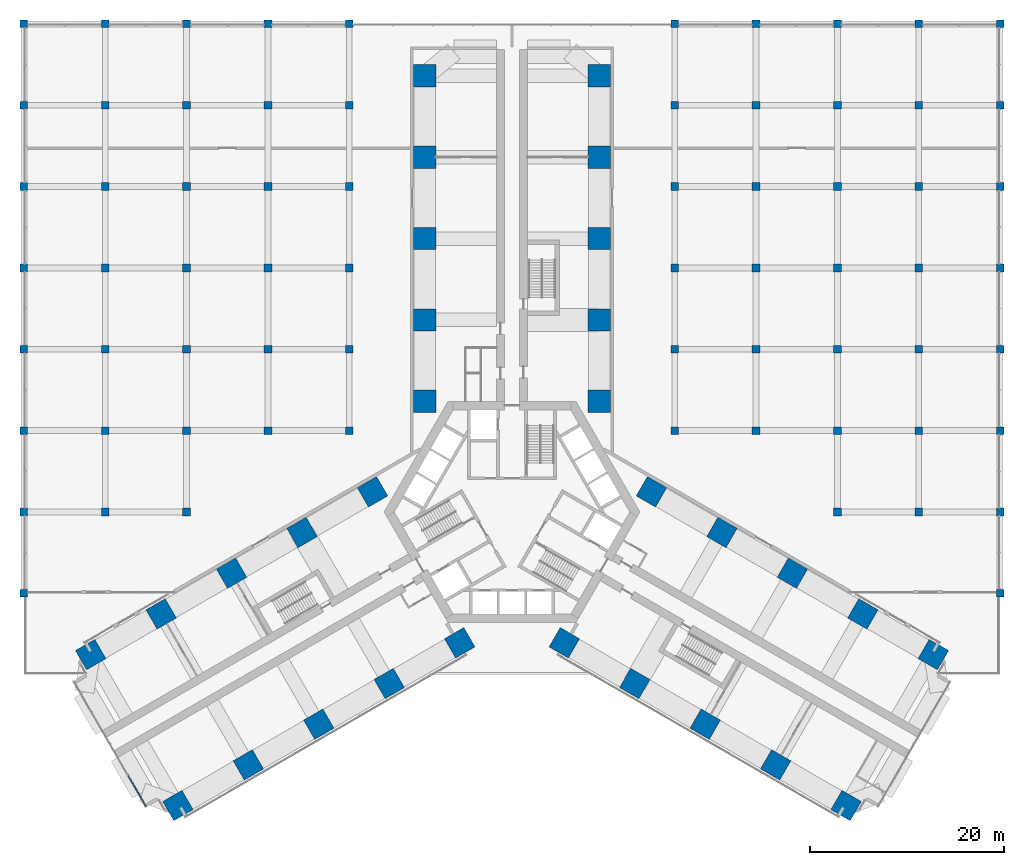
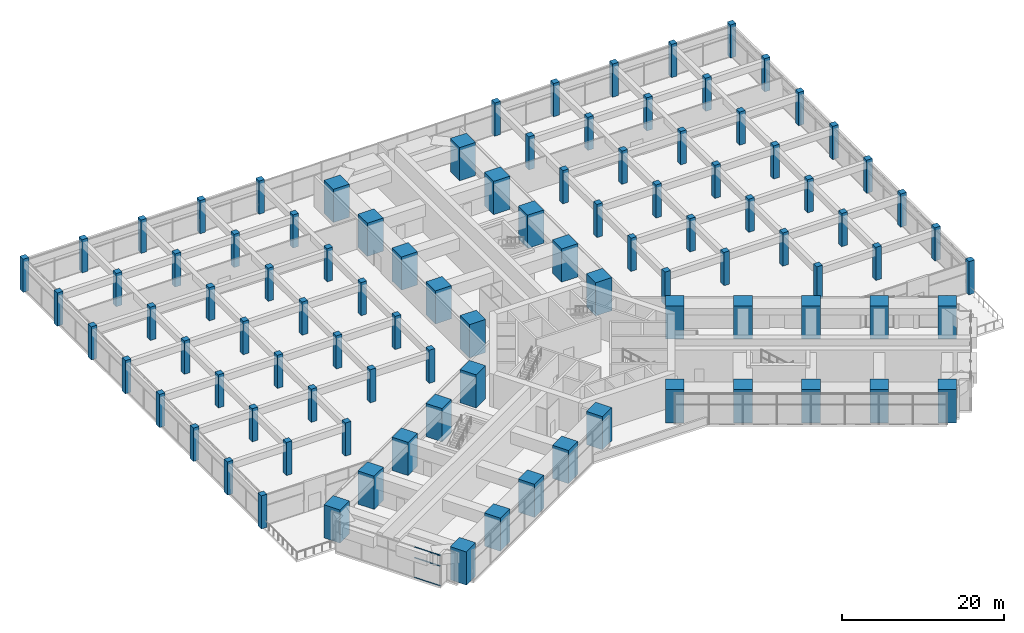
# One storey, part 1 of 33: 98 columns, 3 members, 1 element without a shape of its own.
"""IFC4 building model written with IfcOpenShell, lengths in metres."""

from ifc_helpers import new_model, si_unit, direction, frame, origin, origin_2d, place, context, subcontext, project, spatial, rectangle, extrude, material, material_profile, profile_set, type_object, element, aggregate, save


model = new_model("IFC4")

# Units and contexts
model_context = context("Model", 3, precision=1e-05, world=origin(), true_north=direction((0.0, 1.0)))
body_context = subcontext(model_context, "Body", "Model", "MODEL_VIEW")
ifc_project = project(units=[si_unit("LENGTHUNIT", "METRE"), si_unit("AREAUNIT", "SQUARE_METRE"), si_unit("VOLUMEUNIT", "CUBIC_METRE"), si_unit("PLANEANGLEUNIT", "RADIAN"), si_unit("MASSUNIT", "GRAM", prefix="KILO")], contexts=[model_context])

# Site, building, storey
site_placement = place(None, origin())
site = spatial("IfcSite", under=ifc_project, at=site_placement, CompositionType="ELEMENT")
building_placement = place(site_placement, origin())
building = spatial("IfcBuilding", under=site, at=building_placement, Name="Impinga Residences", CompositionType="ELEMENT")
storey_placement = place(building_placement, frame((0.0, 0.0, 21.0)))
storey = spatial("IfcBuildingStorey", under=building, at=storey_placement, Name="L04", CompositionType="ELEMENT", Elevation=21.0)

# Columns
ifc_material_1 = material(Name="Concrete C70/85", Category="concrete")
ifc_material_profile_1 = material_profile(ifc_material_1, rectangle(XDim=2.300048828125, YDim=2.300048828125, at=origin_2d()), Name="RC 2300x2300")
ifc_profile_set_1 = profile_set([ifc_material_profile_1], Name="Concrete C70/85")
column_type_1 = type_object("IfcColumnType", Name="C1 2300x2300 column", PredefinedType="COLUMN", material=ifc_profile_set_1)
for number, where, z_axis, x_axis, name in (
    (1, (-9.0, 11.431640625, 0.0), (0.0, 0.0, 1.0), (1.0, 0.0, 0.0), "Column C1 N1/NA L04"),
    (2, (9.0, 11.431640625, 0.0), (0.0, 0.0, 1.0), (1.0, 0.0, 0.0), "Column C1 N1/NF L04"),
    (3, (-9.0, 19.83154296875, 0.0), (0.0, 0.0, 1.0), (1.0, 0.0, 0.0), "Column C1 N2/NA L04"),
    (4, (9.0, 19.83154296875, 0.0), (0.0, 0.0, 1.0), (1.0, 0.0, 0.0), "Column C1 N2/NF L04"),
    (5, (-9.0, 28.2314453125, 0.0), (0.0, 0.0, 1.0), (1.0, 0.0, 0.0), "Column C1 N3/NA L04"),
    (6, (9.0, 28.2314453125, 0.0), (0.0, 0.0, 1.0), (1.0, 0.0, 0.0), "Column C1 N3/NF L04"),
    (7, (-9.0, 36.631591796875, 0.0), (0.0, 0.0, 1.0), (1.0, 0.0, 0.0), "Column C1 N4/NA L04"),
    (8, (9.0, 36.631591796875, 0.0), (0.0, 0.0, 1.0), (1.0, 0.0, 0.0), "Column C1 N4/NF L04"),
    (9, (-9.0, 45.031494140625, 0.0), (0.0, 0.0, 1.0), (1.0, 0.0, 0.0), "Column C1 N5/NA L04"),
    (10, (9.0, 45.031494140625, 0.0), (0.0, 0.0, 1.0), (1.0, 0.0, 0.0), "Column C1 N5/NF L04"),
    (11, (-5.39990234375, -13.510009765625, 0.0), (0.0, 0.0, 1.0), (-0.5, 0.866025403784, 0.0), "Column C1 W1/WA L04"),
    (12, (-14.39990234375, 2.078369140625, 0.0), (0.0, 0.0, 1.0), (-0.5, 0.866025403784, 0.0), "Column C1 W1/WF L04"),
    (13, (-12.674560546875, -17.7099609375, 0.0), (0.0, 0.0, 1.0), (-0.5, 0.866025403784, 0.0), "Column C1 W2/WA L04"),
    (14, (-21.674560546875, -2.12158203125, 0.0), (0.0, 0.0, 1.0), (-0.5, 0.866025403784, 0.0), "Column C1 W2/WF L04"),
    (15, (-19.94921875, -21.909912109375, 0.0), (0.0, 0.0, 1.0), (-0.5, 0.866025403784, 0.0), "Column C1 W3/WA L04"),
    (16, (-28.94921875, -6.321533203125, 0.0), (0.0, 0.0, 1.0), (-0.5, 0.866025403784, 0.0), "Column C1 W3/WF L04"),
    (17, (-27.223876953125, -26.110107421875, 0.0), (0.0, 0.0, 1.0), (-0.5, 0.866025403784, 0.0), "Column C1 W4/WA L04"),
    (18, (-36.223876953125, -10.521484375, 0.0), (0.0, 0.0, 1.0), (-0.5, 0.866025403784, 0.0), "Column C1 W4/WF L04"),
    (19, (-34.49853515625, -30.31005859375, 0.0), (0.0, 0.0, 1.0), (-0.5, 0.866025403784, 0.0), "Column C1 W5/WA L04"),
    (20, (-43.49853515625, -14.721435546875, 0.0), (0.0, 0.0, 1.0), (-0.5, 0.866025403784, 0.0), "Column C1 W5/WF L04"),
    (21, (14.39990234375, 2.078369140625, 0.0), (0.0, 0.0, 1.0), (-0.5, -0.866025403784, 0.0), "Column C1 E1/EA L04"),
    (22, (5.39990234375, -13.510009765625, 0.0), (0.0, 0.0, 1.0), (-0.5, -0.866025403784, 0.0), "Column C1 E1/EF L04"),
    (23, (21.674560546875, -2.12158203125, 0.0), (0.0, 0.0, 1.0), (-0.5, -0.866025403784, 0.0), "Column C1 E2/EA L04"),
    (24, (12.674560546875, -17.7099609375, 0.0), (0.0, 0.0, 1.0), (-0.5, -0.866025403784, 0.0), "Column C1 E2/EF L04"),
    (25, (28.94921875, -6.321533203125, 0.0), (0.0, 0.0, 1.0), (-0.5, -0.866025403784, 0.0), "Column C1 E3/EA L04"),
    (26, (19.94921875, -21.909912109375, 0.0), (0.0, 0.0, 1.0), (-0.5, -0.866025403784, 0.0), "Column C1 E3/EF L04"),
    (27, (36.223876953125, -10.521484375, 0.0), (0.0, 0.0, 1.0), (-0.5, -0.866025403784, 0.0), "Column C1 E4/EA L04"),
    (28, (27.223876953125, -26.110107421875, 0.0), (0.0, 0.0, 1.0), (-0.5, -0.866025403784, 0.0), "Column C1 E4/EF L04"),
    (29, (43.49853515625, -14.721435546875, 0.0), (0.0, 0.0, 1.0), (-0.5, -0.866025403784, 0.0), "Column C1 E5/EA L04"),
    (30, (34.49853515625, -30.31005859375, 0.0), (0.0, 0.0, 1.0), (-0.5, -0.866025403784, 0.0), "Column C1 E5/EF L04"),
):
    element("IfcColumn", number, at=place(storey_placement, frame(where, z_axis=z_axis, x_axis=x_axis)), inside=storey, type_object=column_type_1, Name=name, PredefinedType="COLUMN", context=body_context, shape_type="SweptSolid", body=[
        extrude(rectangle(XDim=2.300048828125, YDim=2.300048828125, at=origin_2d()), origin(), (0.0, 0.0, 1.0), 5.0),
    ])
ifc_material_profile_2 = material_profile(ifc_material_1, rectangle(XDim=0.800048828125, YDim=0.800048828125, at=origin_2d()), Name="RC 800x800")
ifc_profile_set_2 = profile_set([ifc_material_profile_2], Name="Concrete C70/85")
column_type_2 = type_object("IfcColumnType", Name="PC3 800x800 column", PredefinedType="COLUMN", material=ifc_profile_set_2)
for number, where, z_axis, x_axis, name in (
    (31, (-50.39990234375, -8.39990234375, 0.0), (0.0, 0.0, 1.0), (1.0, 0.0, 0.0), "Column PC3 1/E L04"),
    (32, (-50.39990234375, 0.0, 0.0), (0.0, 0.0, 1.0), (1.0, 0.0, 0.0), "Column PC3 1/F L04"),
    (33, (-50.39990234375, 8.39990234375, 0.0), (0.0, 0.0, 1.0), (1.0, 0.0, 0.0), "Column PC3 1/G L04"),
    (34, (-50.39990234375, 16.800048828125, 0.0), (0.0, 0.0, 1.0), (1.0, 0.0, 0.0), "Column PC3 1/H L04"),
    (35, (-50.39990234375, 25.199951171875, 0.0), (0.0, 0.0, 1.0), (1.0, 0.0, 0.0), "Column PC3 1/J L04"),
    (36, (-50.39990234375, 33.60009765625, 0.0), (0.0, 0.0, 1.0), (1.0, 0.0, 0.0), "Column PC3 1/K L04"),
    (37, (-50.39990234375, 42.0, 0.0), (0.0, 0.0, 1.0), (1.0, 0.0, 0.0), "Column PC3 1/L L04"),
    (38, (-50.39990234375, 50.39990234375, 0.0), (0.0, 0.0, 1.0), (1.0, 0.0, 0.0), "Column PC3 1/M L04"),
    (39, (-42.0, 0.0, 0.0), (0.0, 0.0, 1.0), (1.0, 0.0, 0.0), "Column PC3 2/F L04"),
    (40, (-42.0, 8.39990234375, 0.0), (0.0, 0.0, 1.0), (1.0, 0.0, 0.0), "Column PC3 2/G L04"),
    (41, (-42.0, 16.800048828125, 0.0), (0.0, 0.0, 1.0), (1.0, 0.0, 0.0), "Column PC3 2/H L04"),
    (42, (-42.0, 25.199951171875, 0.0), (0.0, 0.0, 1.0), (1.0, 0.0, 0.0), "Column PC3 2/J L04"),
    (43, (-42.0, 33.60009765625, 0.0), (0.0, 0.0, 1.0), (1.0, 0.0, 0.0), "Column PC3 2/K L04"),
    (44, (-42.0, 42.0, 0.0), (0.0, 0.0, 1.0), (1.0, 0.0, 0.0), "Column PC3 2/L L04"),
    (45, (-42.0, 50.39990234375, 0.0), (0.0, 0.0, 1.0), (1.0, 0.0, 0.0), "Column PC3 2/M L04"),
    (46, (-33.60009765625, 0.0, 0.0), (0.0, 0.0, 1.0), (1.0, 0.0, 0.0), "Column PC3 3/F L04"),
    (47, (-33.60009765625, 8.39990234375, 0.0), (0.0, 0.0, 1.0), (1.0, 0.0, 0.0), "Column PC3 3/G L04"),
    (48, (-33.60009765625, 16.800048828125, 0.0), (0.0, 0.0, 1.0), (1.0, 0.0, 0.0), "Column PC3 3/H L04"),
    (49, (-33.60009765625, 25.199951171875, 0.0), (0.0, 0.0, 1.0), (1.0, 0.0, 0.0), "Column PC3 3/J L04"),
    (50, (-33.60009765625, 33.60009765625, 0.0), (0.0, 0.0, 1.0), (1.0, 0.0, 0.0), "Column PC3 3/K L04"),
    (51, (-33.60009765625, 42.0, 0.0), (0.0, 0.0, 1.0), (1.0, 0.0, 0.0), "Column PC3 3/L L04"),
    (52, (-33.60009765625, 50.39990234375, 0.0), (0.0, 0.0, 1.0), (1.0, 0.0, 0.0), "Column PC3 3/M L04"),
    (53, (-25.199951171875, 8.39990234375, 0.0), (0.0, 0.0, 1.0), (1.0, 0.0, 0.0), "Column PC3 4/G L04"),
    (54, (-25.199951171875, 16.800048828125, 0.0), (0.0, 0.0, 1.0), (1.0, 0.0, 0.0), "Column PC3 4/H L04"),
    (55, (-25.199951171875, 25.199951171875, 0.0), (0.0, 0.0, 1.0), (1.0, 0.0, 0.0), "Column PC3 4/J L04"),
    (56, (-25.199951171875, 33.60009765625, 0.0), (0.0, 0.0, 1.0), (1.0, 0.0, 0.0), "Column PC3 4/K L04"),
    (57, (-25.199951171875, 42.0, 0.0), (0.0, 0.0, 1.0), (1.0, 0.0, 0.0), "Column PC3 4/L L04"),
    (58, (-25.199951171875, 50.39990234375, 0.0), (0.0, 0.0, 1.0), (1.0, 0.0, 0.0), "Column PC3 4/M L04"),
    (59, (-16.800048828125, 8.39990234375, 0.0), (0.0, 0.0, 1.0), (1.0, 0.0, 0.0), "Column PC3 5/G L04"),
    (60, (-16.800048828125, 16.800048828125, 0.0), (0.0, 0.0, 1.0), (1.0, 0.0, 0.0), "Column PC3 5/H L04"),
    (61, (-16.800048828125, 25.199951171875, 0.0), (0.0, 0.0, 1.0), (1.0, 0.0, 0.0), "Column PC3 5/J L04"),
    (62, (-16.800048828125, 33.60009765625, 0.0), (0.0, 0.0, 1.0), (1.0, 0.0, 0.0), "Column PC3 5/K L04"),
    (63, (-16.800048828125, 42.0, 0.0), (0.0, 0.0, 1.0), (1.0, 0.0, 0.0), "Column PC3 5/L L04"),
    (64, (-16.800048828125, 50.39990234375, 0.0), (0.0, 0.0, 1.0), (1.0, 0.0, 0.0), "Column PC3 5/M L04"),
    (65, (16.800048828125, 8.39990234375, 0.0), (0.0, 0.0, 1.0), (1.0, 0.0, 0.0), "Column PC3 9/G L04"),
    (66, (16.800048828125, 16.800048828125, 0.0), (0.0, 0.0, 1.0), (1.0, 0.0, 0.0), "Column PC3 9/H L04"),
    (67, (16.800048828125, 25.199951171875, 0.0), (0.0, 0.0, 1.0), (1.0, 0.0, 0.0), "Column PC3 9/J L04"),
    (68, (16.800048828125, 33.60009765625, 0.0), (0.0, 0.0, 1.0), (1.0, 0.0, 0.0), "Column PC3 9/K L04"),
    (69, (16.800048828125, 42.0, 0.0), (0.0, 0.0, 1.0), (1.0, 0.0, 0.0), "Column PC3 9/L L04"),
    (70, (16.800048828125, 50.39990234375, 0.0), (0.0, 0.0, 1.0), (1.0, 0.0, 0.0), "Column PC3 9/M L04"),
    (71, (25.199951171875, 8.39990234375, 0.0), (0.0, 0.0, 1.0), (1.0, 0.0, 0.0), "Column PC3 10/G L04"),
    (72, (25.199951171875, 16.800048828125, 0.0), (0.0, 0.0, 1.0), (1.0, 0.0, 0.0), "Column PC3 10/H L04"),
    (73, (25.199951171875, 25.199951171875, 0.0), (0.0, 0.0, 1.0), (1.0, 0.0, 0.0), "Column PC3 10/J L04"),
    (74, (25.199951171875, 33.60009765625, 0.0), (0.0, 0.0, 1.0), (1.0, 0.0, 0.0), "Column PC3 10/K L04"),
    (75, (25.199951171875, 42.0, 0.0), (0.0, 0.0, 1.0), (1.0, 0.0, 0.0), "Column PC3 10/L L04"),
    (76, (25.199951171875, 50.39990234375, 0.0), (0.0, 0.0, 1.0), (1.0, 0.0, 0.0), "Column PC3 10/M L04"),
    (77, (33.60009765625, 0.0, 0.0), (0.0, 0.0, 1.0), (1.0, 0.0, 0.0), "Column PC3 11/F L04"),
    (78, (33.60009765625, 8.39990234375, 0.0), (0.0, 0.0, 1.0), (1.0, 0.0, 0.0), "Column PC3 11/G L04"),
    (79, (33.60009765625, 16.800048828125, 0.0), (0.0, 0.0, 1.0), (1.0, 0.0, 0.0), "Column PC3 11/H L04"),
    (80, (33.60009765625, 25.199951171875, 0.0), (0.0, 0.0, 1.0), (1.0, 0.0, 0.0), "Column PC3 11/J L04"),
    (81, (33.60009765625, 33.60009765625, 0.0), (0.0, 0.0, 1.0), (1.0, 0.0, 0.0), "Column PC3 11/K L04"),
    (82, (33.60009765625, 42.0, 0.0), (0.0, 0.0, 1.0), (1.0, 0.0, 0.0), "Column PC3 11/L L04"),
    (83, (33.60009765625, 50.39990234375, 0.0), (0.0, 0.0, 1.0), (1.0, 0.0, 0.0), "Column PC3 11/M L04"),
    (84, (42.0, 0.0, 0.0), (0.0, 0.0, 1.0), (1.0, 0.0, 0.0), "Column PC3 12/F L04"),
    (85, (42.0, 8.39990234375, 0.0), (0.0, 0.0, 1.0), (1.0, 0.0, 0.0), "Column PC3 12/G L04"),
    (86, (42.0, 16.800048828125, 0.0), (0.0, 0.0, 1.0), (1.0, 0.0, 0.0), "Column PC3 12/H L04"),
    (87, (42.0, 25.199951171875, 0.0), (0.0, 0.0, 1.0), (1.0, 0.0, 0.0), "Column PC3 12/J L04"),
    (88, (42.0, 33.60009765625, 0.0), (0.0, 0.0, 1.0), (1.0, 0.0, 0.0), "Column PC3 12/K L04"),
    (89, (42.0, 42.0, 0.0), (0.0, 0.0, 1.0), (1.0, 0.0, 0.0), "Column PC3 12/L L04"),
    (90, (42.0, 50.39990234375, 0.0), (0.0, 0.0, 1.0), (1.0, 0.0, 0.0), "Column PC3 12/M L04"),
    (91, (50.39990234375, -8.39990234375, 0.0), (0.0, 0.0, 1.0), (1.0, 0.0, 0.0), "Column PC3 13/E L04"),
    (92, (50.39990234375, 0.0, 0.0), (0.0, 0.0, 1.0), (1.0, 0.0, 0.0), "Column PC3 13/F L04"),
    (93, (50.39990234375, 8.39990234375, 0.0), (0.0, 0.0, 1.0), (1.0, 0.0, 0.0), "Column PC3 13/G L04"),
    (94, (50.39990234375, 16.800048828125, 0.0), (0.0, 0.0, 1.0), (1.0, 0.0, 0.0), "Column PC3 13/H L04"),
    (95, (50.39990234375, 25.199951171875, 0.0), (0.0, 0.0, 1.0), (1.0, 0.0, 0.0), "Column PC3 13/J L04"),
    (96, (50.39990234375, 33.60009765625, 0.0), (0.0, 0.0, 1.0), (1.0, 0.0, 0.0), "Column PC3 13/K L04"),
    (97, (50.39990234375, 42.0, 0.0), (0.0, 0.0, 1.0), (1.0, 0.0, 0.0), "Column PC3 13/L L04"),
    (98, (50.39990234375, 50.39990234375, 0.0), (0.0, 0.0, 1.0), (1.0, 0.0, 0.0), "Column PC3 13/M L04"),
):
    element("IfcColumn", number, at=place(storey_placement, frame(where, z_axis=z_axis, x_axis=x_axis)), inside=storey, type_object=column_type_2, Name=name, PredefinedType="COLUMN", context=body_context, shape_type="SweptSolid", body=[
        extrude(rectangle(XDim=0.800048828125, YDim=0.800048828125, at=origin_2d()), origin(), (0.0, 0.0, 1.0), 5.0),
    ])

# Curtain wall, members
ifc_material_2 = material(Name="Aluminium stick curtain wall", Category="aluminium")
curtain_wall_type = type_object("IfcCurtainWallType", Name="CW1 podium amenity curtain wall", PredefinedType="USERDEFINED", material=ifc_material_2)
curtain_wall_placement = place(storey_placement, origin())
curtain_wall = element("IfcCurtainWall", 99, at=curtain_wall_placement, inside=storey, type_object=curtain_wall_type, Name="Curtain wall CW1 L04", ObjectType="STICK CURTAIN WALL", PredefinedType="USERDEFINED")
ifc_material_3 = material(Name="Aluminium transom", Category="aluminium")
ifc_material_profile_3 = material_profile(ifc_material_3, rectangle(XDim=0.06005859375, YDim=0.1201171875, at=origin_2d()), Name="60x120 transom")
ifc_profile_set_3 = profile_set([ifc_material_profile_3], Name="Aluminium transom")
member_type = type_object("IfcMemberType", Name="CW1-T transom 60x120", PredefinedType="USERDEFINED", material=ifc_profile_set_3)
member_1_placement = place(storey_placement, frame((-37.7900390625, -30.408935546875, 0.030029296875), z_axis=(-0.499963050397, 0.866046735597, 0.0), x_axis=(0.0, 0.0, 1.0)))
member_1 = element("IfcMember", 100, at=member_1_placement, type_object=member_type, Name="CW1 transom 1.1", ObjectType="TRANSOM", PredefinedType="USERDEFINED", context=body_context, shape_type="SweptSolid", body=[
    extrude(rectangle(XDim=0.06005859375, YDim=0.1201171875, at=origin_2d()), origin(), (0.0, 0.0, 1.0), 3.659912109375),
])
member_2_placement = place(storey_placement, frame((-37.7900390625, -30.408935546875, 3.0), z_axis=(-0.499963050397, 0.866046735597, 0.0), x_axis=(0.0, 0.0, 1.0)))
member_2 = element("IfcMember", 101, at=member_2_placement, type_object=member_type, Name="CW1 transom 1.2", ObjectType="TRANSOM", PredefinedType="USERDEFINED", context=body_context, shape_type="SweptSolid", body=[
    extrude(rectangle(XDim=0.06005859375, YDim=0.1201171875, at=origin_2d()), origin(), (0.0, 0.0, 1.0), 3.659912109375),
])
member_3_placement = place(storey_placement, frame((-37.7900390625, -30.408935546875, 4.570068359375), z_axis=(-0.499963050397, 0.866046735597, 0.0), x_axis=(0.0, 0.0, 1.0)))
member_3 = element("IfcMember", 102, at=member_3_placement, type_object=member_type, Name="CW1 transom 1.3", ObjectType="TRANSOM", PredefinedType="USERDEFINED", context=body_context, shape_type="SweptSolid", body=[
    extrude(rectangle(XDim=0.06005859375, YDim=0.1201171875, at=origin_2d()), origin(), (0.0, 0.0, 1.0), 3.659912109375),
])
aggregate(curtain_wall, [member_1, member_2, member_3])

save(model, "model.ifc")
